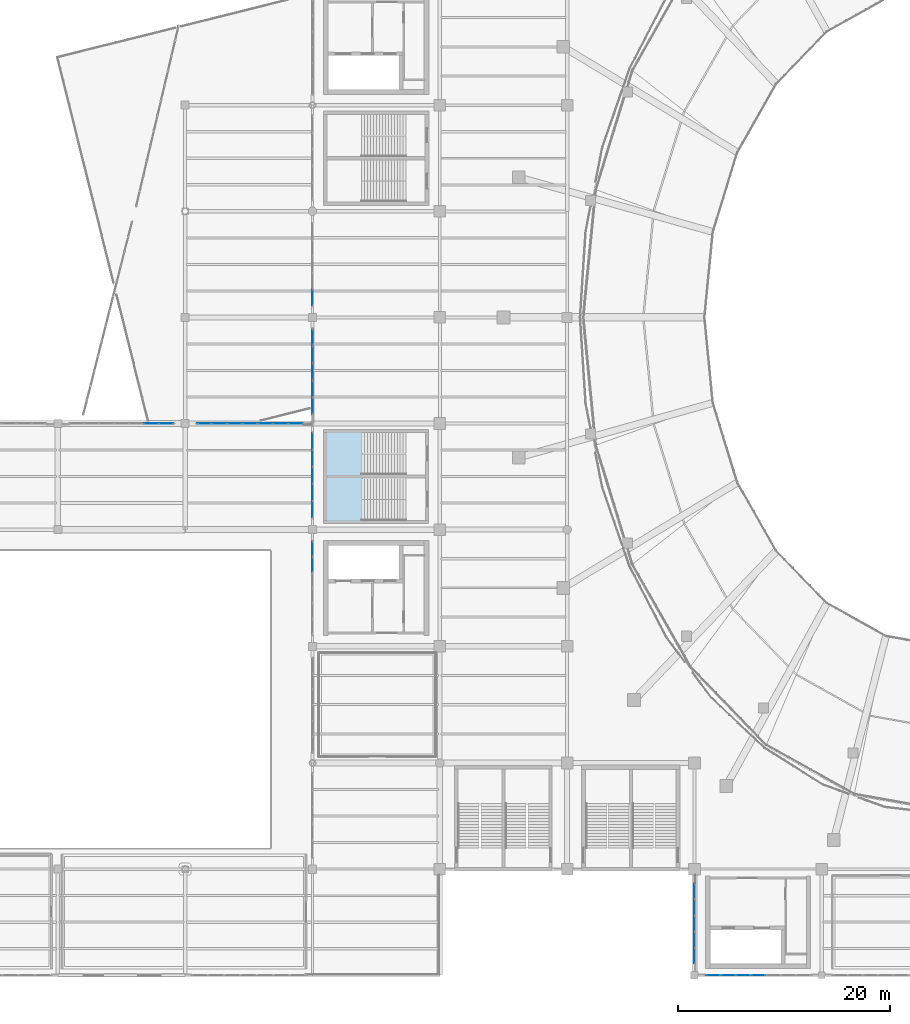
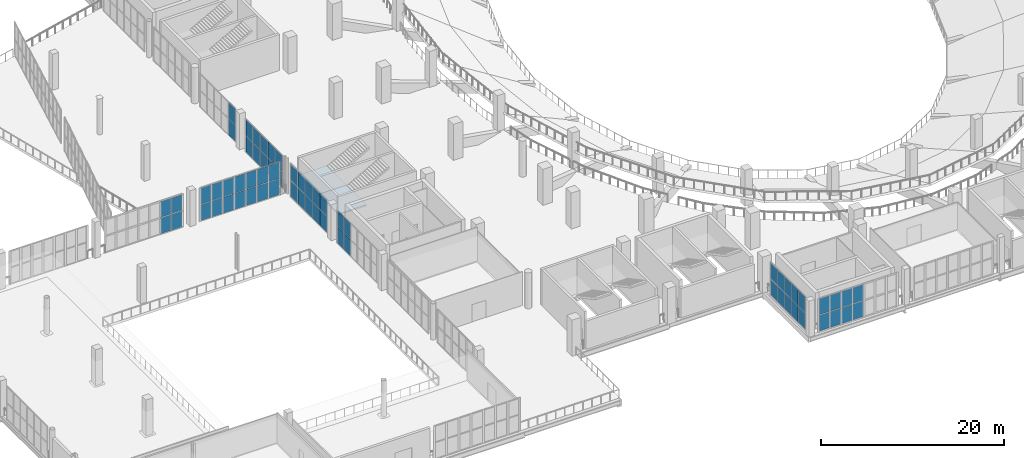
# One storey, part 94 of 136: 62 plates, 2 slabs, 10 elements without a shape of their own.
"""IFC4 building model written with IfcOpenShell, lengths in metres."""

from ifc_helpers import new_model, si_unit, direction, frame, origin, origin_2d, place, context, subcontext, project, spatial, polyline, rectangle, outline, extrude, material, layer, layer_set, type_object, element, aggregate, save


model = new_model("IFC4")

# Units and contexts
model_context = context("Model", 3, precision=1e-05, world=origin(), true_north=direction((0.0, 1.0)))
body_context = subcontext(model_context, "Body", "Model", "MODEL_VIEW")
ifc_project = project(units=[si_unit("LENGTHUNIT", "METRE"), si_unit("AREAUNIT", "SQUARE_METRE"), si_unit("VOLUMEUNIT", "CUBIC_METRE"), si_unit("PLANEANGLEUNIT", "RADIAN"), si_unit("MASSUNIT", "GRAM", prefix="KILO")], contexts=[model_context])

# Site, building, storey
site_placement = place(None, origin())
site = spatial("IfcSite", under=ifc_project, at=site_placement, CompositionType="ELEMENT")
building_placement = place(site_placement, origin())
building = spatial("IfcBuilding", under=site, at=building_placement, Name="Brinegate Civic Arena", CompositionType="ELEMENT")
storey_placement = place(building_placement, frame((0.0, 0.0, 5.39990234375)))
storey = spatial("IfcBuildingStorey", under=building, at=storey_placement, Name="L01", CompositionType="ELEMENT", Elevation=5.39990234375)

# Curtain wall, plates
ifc_material_1 = material(Name="Marine grade aluminium", Category="aluminium")
ifc_layer_1 = layer(ifc_material_1, 0.199951171875, Name="Marine grade aluminium")
ifc_layer_set_1 = layer_set([ifc_layer_1], Name="Marine grade aluminium")
curtain_wall_type_1 = type_object("IfcCurtainWallType", Name="CW-BOWL-GLAZED-01", PredefinedType="USERDEFINED", material=ifc_layer_set_1)
curtain_wall_1_placement = place(storey_placement, origin())
curtain_wall_1 = element("IfcCurtainWall", 1, at=curtain_wall_1_placement, inside=storey, type_object=curtain_wall_type_1, Name="Curtain Wall CWA-050", ObjectType="GLAZED CURTAIN WALL", PredefinedType="USERDEFINED")
ifc_material_2 = material(Name="Hurricane laminated low-E glass", Category="glass")
ifc_layer_2 = layer(ifc_material_2, 0.028076171875, Name="Hurricane laminated low-E glass")
ifc_layer_set_2 = layer_set([ifc_layer_2], Name="Hurricane laminated low-E glass")
plate_type_1 = type_object("IfcPlateType", Name="CW-PANEL-GLAZED-28", PredefinedType="CURTAIN_PANEL", material=ifc_layer_set_2)
plate_1_placement = place(storey_placement, frame((48.0, 43.904052734375, 0.074951171875), z_axis=(0.0, 0.0, 1.0), x_axis=(0.0, 1.0, 0.0)))
plate_1 = element("IfcPlate", 2, at=plate_1_placement, type_object=plate_type_1, Name="CWA-050 panel 1.1", PredefinedType="CURTAIN_PANEL", context=body_context, shape_type="SweptSolid", body=[
    extrude(rectangle(XDim=1.51806640625, YDim=0.028076171875, at=origin_2d()), origin(), (0.0, 0.0, 1.0), 2.12255859375),
])
plate_2_placement = place(storey_placement, frame((48.0, 43.904052734375, 2.2724609375), z_axis=(0.0, 0.0, 1.0), x_axis=(0.0, 1.0, 0.0)))
plate_2 = element("IfcPlate", 3, at=plate_2_placement, type_object=plate_type_1, Name="CWA-050 panel 1.2", PredefinedType="CURTAIN_PANEL", context=body_context, shape_type="SweptSolid", body=[
    extrude(rectangle(XDim=1.51806640625, YDim=0.028076171875, at=origin_2d()), origin(), (0.0, 0.0, 1.0), 2.12255859375),
])
plate_3_placement = place(storey_placement, frame((48.0, 45.50341796875, 0.074951171875), z_axis=(0.0, 0.0, 1.0), x_axis=(0.0, 1.0, 0.0)))
plate_3 = element("IfcPlate", 4, at=plate_3_placement, type_object=plate_type_1, Name="CWA-050 panel 2.1", PredefinedType="CURTAIN_PANEL", context=body_context, shape_type="SweptSolid", body=[
    extrude(rectangle(XDim=1.550537109375, YDim=0.028076171875, at=origin_2d()), origin(), (0.0, 0.0, 1.0), 2.12255859375),
])
plate_4_placement = place(storey_placement, frame((48.0, 45.50341796875, 2.2724609375), z_axis=(0.0, 0.0, 1.0), x_axis=(0.0, 1.0, 0.0)))
plate_4 = element("IfcPlate", 5, at=plate_4_placement, type_object=plate_type_1, Name="CWA-050 panel 2.2", PredefinedType="CURTAIN_PANEL", context=body_context, shape_type="SweptSolid", body=[
    extrude(rectangle(XDim=1.550537109375, YDim=0.028076171875, at=origin_2d()), origin(), (0.0, 0.0, 1.0), 2.12255859375),
])
plate_5_placement = place(storey_placement, frame((48.0, 47.118896484375, 0.074951171875), z_axis=(0.0, 0.0, 1.0), x_axis=(0.0, 1.0, 0.0)))
plate_5 = element("IfcPlate", 6, at=plate_5_placement, type_object=plate_type_1, Name="CWA-050 panel 3.1", PredefinedType="CURTAIN_PANEL", context=body_context, shape_type="SweptSolid", body=[
    extrude(rectangle(XDim=1.550537109375, YDim=0.028076171875, at=origin_2d()), origin(), (0.0, 0.0, 1.0), 2.12255859375),
])
plate_6_placement = place(storey_placement, frame((48.0, 47.118896484375, 2.2724609375), z_axis=(0.0, 0.0, 1.0), x_axis=(0.0, 1.0, 0.0)))
plate_6 = element("IfcPlate", 7, at=plate_6_placement, type_object=plate_type_1, Name="CWA-050 panel 3.2", PredefinedType="CURTAIN_PANEL", context=body_context, shape_type="SweptSolid", body=[
    extrude(rectangle(XDim=1.550537109375, YDim=0.028076171875, at=origin_2d()), origin(), (0.0, 0.0, 1.0), 2.12255859375),
])
plate_7_placement = place(storey_placement, frame((48.0, 48.734619140625, 0.074951171875), z_axis=(0.0, 0.0, 1.0), x_axis=(0.0, 1.0, 0.0)))
plate_7 = element("IfcPlate", 8, at=plate_7_placement, type_object=plate_type_1, Name="CWA-050 panel 4.1", PredefinedType="CURTAIN_PANEL", context=body_context, shape_type="SweptSolid", body=[
    extrude(rectangle(XDim=1.550537109375, YDim=0.028076171875, at=origin_2d()), origin(), (0.0, 0.0, 1.0), 2.12255859375),
])
plate_8_placement = place(storey_placement, frame((48.0, 48.734619140625, 2.2724609375), z_axis=(0.0, 0.0, 1.0), x_axis=(0.0, 1.0, 0.0)))
plate_8 = element("IfcPlate", 9, at=plate_8_placement, type_object=plate_type_1, Name="CWA-050 panel 4.2", PredefinedType="CURTAIN_PANEL", context=body_context, shape_type="SweptSolid", body=[
    extrude(rectangle(XDim=1.550537109375, YDim=0.028076171875, at=origin_2d()), origin(), (0.0, 0.0, 1.0), 2.12255859375),
])
plate_9_placement = place(storey_placement, frame((48.0, 50.333984375, 0.074951171875), z_axis=(0.0, 0.0, 1.0), x_axis=(0.0, 1.0, 0.0)))
plate_9 = element("IfcPlate", 10, at=plate_9_placement, type_object=plate_type_1, Name="CWA-050 panel 5.1", PredefinedType="CURTAIN_PANEL", context=body_context, shape_type="SweptSolid", body=[
    extrude(rectangle(XDim=1.51806640625, YDim=0.028076171875, at=origin_2d()), origin(), (0.0, 0.0, 1.0), 2.12255859375),
])
plate_10_placement = place(storey_placement, frame((48.0, 50.333984375, 2.2724609375), z_axis=(0.0, 0.0, 1.0), x_axis=(0.0, 1.0, 0.0)))
plate_10 = element("IfcPlate", 11, at=plate_10_placement, type_object=plate_type_1, Name="CWA-050 panel 5.2", PredefinedType="CURTAIN_PANEL", context=body_context, shape_type="SweptSolid", body=[
    extrude(rectangle(XDim=1.51806640625, YDim=0.028076171875, at=origin_2d()), origin(), (0.0, 0.0, 1.0), 2.12255859375),
])
aggregate(curtain_wall_1, [plate_1, plate_2, plate_3, plate_4, plate_5, plate_6, plate_7, plate_8, plate_9, plate_10])

curtain_wall_2_placement = place(storey_placement, origin())
curtain_wall_2 = element("IfcCurtainWall", 12, at=curtain_wall_2_placement, inside=storey, type_object=curtain_wall_type_1, Name="Curtain Wall CWA-054", ObjectType="GLAZED CURTAIN WALL", PredefinedType="USERDEFINED")
plate_11_placement = place(storey_placement, frame((48.0, 63.876708984375, 0.06494140625), z_axis=(0.0, 0.0, 1.0), x_axis=(0.0, 1.0, 0.0)))
plate_11 = element("IfcPlate", 13, at=plate_11_placement, type_object=plate_type_1, Name="CWA-054 panel 1.1", PredefinedType="CURTAIN_PANEL", context=body_context, shape_type="SweptSolid", body=[
    extrude(rectangle(XDim=1.46337890625, YDim=0.028076171875, at=origin_2d()), origin(), (0.0, 0.0, 1.0), 2.137451171875),
])
plate_12_placement = place(storey_placement, frame((48.0, 63.876708984375, 2.267578125), z_axis=(0.0, 0.0, 1.0), x_axis=(0.0, 1.0, 0.0)))
plate_12 = element("IfcPlate", 14, at=plate_12_placement, type_object=plate_type_1, Name="CWA-054 panel 1.2", PredefinedType="CURTAIN_PANEL", context=body_context, shape_type="SweptSolid", body=[
    extrude(rectangle(XDim=1.46337890625, YDim=0.028076171875, at=origin_2d()), origin(), (0.0, 0.0, 1.0), 2.137451171875),
])
aggregate(curtain_wall_2, [plate_11, plate_12])

ifc_layer_3 = layer(ifc_material_1, 0.25, Name="Marine grade aluminium")
ifc_layer_set_3 = layer_set([ifc_layer_3], Name="Marine grade aluminium")
curtain_wall_type_2 = type_object("IfcCurtainWallType", Name="CW-PORTAL-SOUTH-02", PredefinedType="USERDEFINED", material=ifc_layer_set_3)
curtain_wall_3_placement = place(storey_placement, origin())
curtain_wall_3 = element("IfcCurtainWall", 15, at=curtain_wall_3_placement, inside=storey, type_object=curtain_wall_type_2, Name="Curtain Wall CWA-070", ObjectType="PORTAL CURTAIN WALL", PredefinedType="USERDEFINED")
plate_13_placement = place(storey_placement, frame((84.0, 1.823974609375, 0.074951171875), z_axis=(0.0, 0.0, 1.0), x_axis=(0.0, 1.0, 0.0)))
plate_13 = element("IfcPlate", 16, at=plate_13_placement, type_object=plate_type_1, Name="CWA-070 panel 1.1", PredefinedType="CURTAIN_PANEL", context=body_context, shape_type="SweptSolid", body=[
    extrude(rectangle(XDim=1.427978515625, YDim=0.028076171875, at=origin_2d()), origin(), (0.0, 0.0, 1.0), 2.12255859375),
])
plate_14_placement = place(storey_placement, frame((84.0, 1.823974609375, 2.2724609375), z_axis=(0.0, 0.0, 1.0), x_axis=(0.0, 1.0, 0.0)))
plate_14 = element("IfcPlate", 17, at=plate_14_placement, type_object=plate_type_1, Name="CWA-070 panel 1.2", PredefinedType="CURTAIN_PANEL", context=body_context, shape_type="SweptSolid", body=[
    extrude(rectangle(XDim=1.427978515625, YDim=0.028076171875, at=origin_2d()), origin(), (0.0, 0.0, 1.0), 2.12255859375),
])
plate_15_placement = place(storey_placement, frame((84.0, 3.3330078125, 0.074951171875), z_axis=(0.0, 0.0, 1.0), x_axis=(0.0, 1.0, 0.0)))
plate_15 = element("IfcPlate", 18, at=plate_15_placement, type_object=plate_type_1, Name="CWA-070 panel 2.1", PredefinedType="CURTAIN_PANEL", context=body_context, shape_type="SweptSolid", body=[
    extrude(rectangle(XDim=1.46044921875, YDim=0.028076171875, at=origin_2d()), origin(), (0.0, 0.0, 1.0), 2.12255859375),
])
plate_16_placement = place(storey_placement, frame((84.0, 3.3330078125, 2.2724609375), z_axis=(0.0, 0.0, 1.0), x_axis=(0.0, 1.0, 0.0)))
plate_16 = element("IfcPlate", 19, at=plate_16_placement, type_object=plate_type_1, Name="CWA-070 panel 2.2", PredefinedType="CURTAIN_PANEL", context=body_context, shape_type="SweptSolid", body=[
    extrude(rectangle(XDim=1.46044921875, YDim=0.028076171875, at=origin_2d()), origin(), (0.0, 0.0, 1.0), 2.12255859375),
])
plate_17_placement = place(storey_placement, frame((84.0, 4.8583984375, 0.074951171875), z_axis=(0.0, 0.0, 1.0), x_axis=(0.0, 1.0, 0.0)))
plate_17 = element("IfcPlate", 20, at=plate_17_placement, type_object=plate_type_1, Name="CWA-070 panel 3.1", PredefinedType="CURTAIN_PANEL", context=body_context, shape_type="SweptSolid", body=[
    extrude(rectangle(XDim=1.46044921875, YDim=0.028076171875, at=origin_2d()), origin(), (0.0, 0.0, 1.0), 2.12255859375),
])
plate_18_placement = place(storey_placement, frame((84.0, 4.8583984375, 2.2724609375), z_axis=(0.0, 0.0, 1.0), x_axis=(0.0, 1.0, 0.0)))
plate_18 = element("IfcPlate", 21, at=plate_18_placement, type_object=plate_type_1, Name="CWA-070 panel 3.2", PredefinedType="CURTAIN_PANEL", context=body_context, shape_type="SweptSolid", body=[
    extrude(rectangle(XDim=1.46044921875, YDim=0.028076171875, at=origin_2d()), origin(), (0.0, 0.0, 1.0), 2.12255859375),
])
plate_19_placement = place(storey_placement, frame((84.0, 6.3837890625, 0.074951171875), z_axis=(0.0, 0.0, 1.0), x_axis=(0.0, 1.0, 0.0)))
plate_19 = element("IfcPlate", 22, at=plate_19_placement, type_object=plate_type_1, Name="CWA-070 panel 4.1", PredefinedType="CURTAIN_PANEL", context=body_context, shape_type="SweptSolid", body=[
    extrude(rectangle(XDim=1.46044921875, YDim=0.028076171875, at=origin_2d()), origin(), (0.0, 0.0, 1.0), 2.12255859375),
])
plate_20_placement = place(storey_placement, frame((84.0, 6.3837890625, 2.2724609375), z_axis=(0.0, 0.0, 1.0), x_axis=(0.0, 1.0, 0.0)))
plate_20 = element("IfcPlate", 23, at=plate_20_placement, type_object=plate_type_1, Name="CWA-070 panel 4.2", PredefinedType="CURTAIN_PANEL", context=body_context, shape_type="SweptSolid", body=[
    extrude(rectangle(XDim=1.46044921875, YDim=0.028076171875, at=origin_2d()), origin(), (0.0, 0.0, 1.0), 2.12255859375),
])
plate_21_placement = place(storey_placement, frame((84.0, 7.89306640625, 0.074951171875), z_axis=(0.0, 0.0, 1.0), x_axis=(0.0, 1.0, 0.0)))
plate_21 = element("IfcPlate", 24, at=plate_21_placement, type_object=plate_type_1, Name="CWA-070 panel 5.1", PredefinedType="CURTAIN_PANEL", context=body_context, shape_type="SweptSolid", body=[
    extrude(rectangle(XDim=1.427978515625, YDim=0.028076171875, at=origin_2d()), origin(), (0.0, 0.0, 1.0), 2.12255859375),
])
plate_22_placement = place(storey_placement, frame((84.0, 7.89306640625, 2.2724609375), z_axis=(0.0, 0.0, 1.0), x_axis=(0.0, 1.0, 0.0)))
plate_22 = element("IfcPlate", 25, at=plate_22_placement, type_object=plate_type_1, Name="CWA-070 panel 5.2", PredefinedType="CURTAIN_PANEL", context=body_context, shape_type="SweptSolid", body=[
    extrude(rectangle(XDim=1.427978515625, YDim=0.028076171875, at=origin_2d()), origin(), (0.0, 0.0, 1.0), 2.12255859375),
])
aggregate(curtain_wall_3, [plate_13, plate_14, plate_15, plate_16, plate_17, plate_18, plate_19, plate_20, plate_21, plate_22])

ifc_layer_4 = layer(ifc_material_1, 0.18505859375, Name="Marine grade aluminium")
ifc_layer_set_4 = layer_set([ifc_layer_4], Name="Marine grade aluminium")
curtain_wall_type_3 = type_object("IfcCurtainWallType", Name="CW-WING-GLAZED-03", PredefinedType="USERDEFINED", material=ifc_layer_set_4)
curtain_wall_4_placement = place(storey_placement, origin())
curtain_wall_4 = element("IfcCurtainWall", 26, at=curtain_wall_4_placement, inside=storey, type_object=curtain_wall_type_3, Name="Curtain Wall CWA-016", ObjectType="GLAZED CURTAIN WALL", PredefinedType="USERDEFINED")
ifc_layer_5 = layer(ifc_material_2, 0.031982421875, Name="Hurricane laminated low-E glass")
ifc_layer_set_5 = layer_set([ifc_layer_5], Name="Hurricane laminated low-E glass")
plate_type_2 = type_object("IfcPlateType", Name="CW-PANEL-GLAZED-32", PredefinedType="CURTAIN_PANEL", material=ifc_layer_set_5)
plate_23_placement = place(storey_placement, frame((32.8115234375, 52.0, 0.074951171875), z_axis=(0.0, 0.0, 1.0), x_axis=(1.0, 0.0, 0.0)))
plate_23 = element("IfcPlate", 27, at=plate_23_placement, type_object=plate_type_2, Name="CWA-016 panel 6.1", PredefinedType="CURTAIN_PANEL", context=body_context, shape_type="SweptSolid", body=[
    extrude(rectangle(XDim=1.3408203125, YDim=0.031982421875, at=origin_2d()), origin(), (0.0, 0.0, 1.0), 2.12255859375),
])
plate_24_placement = place(storey_placement, frame((32.8115234375, 52.0, 2.2724609375), z_axis=(0.0, 0.0, 1.0), x_axis=(1.0, 0.0, 0.0)))
plate_24 = element("IfcPlate", 28, at=plate_24_placement, type_object=plate_type_2, Name="CWA-016 panel 6.2", PredefinedType="CURTAIN_PANEL", context=body_context, shape_type="SweptSolid", body=[
    extrude(rectangle(XDim=1.3408203125, YDim=0.031982421875, at=origin_2d()), origin(), (0.0, 0.0, 1.0), 2.12255859375),
])
plate_25_placement = place(storey_placement, frame((34.200927734375, 52.0, 0.074951171875), z_axis=(0.0, 0.0, 1.0), x_axis=(1.0, 0.0, 0.0)))
plate_25 = element("IfcPlate", 29, at=plate_25_placement, type_object=plate_type_2, Name="CWA-016 panel 7.1", PredefinedType="CURTAIN_PANEL", context=body_context, shape_type="SweptSolid", body=[
    extrude(rectangle(XDim=1.30810546875, YDim=0.031982421875, at=origin_2d()), origin(), (0.0, 0.0, 1.0), 2.12255859375),
])
plate_26_placement = place(storey_placement, frame((34.200927734375, 52.0, 2.2724609375), z_axis=(0.0, 0.0, 1.0), x_axis=(1.0, 0.0, 0.0)))
plate_26 = element("IfcPlate", 30, at=plate_26_placement, type_object=plate_type_2, Name="CWA-016 panel 7.2", PredefinedType="CURTAIN_PANEL", context=body_context, shape_type="SweptSolid", body=[
    extrude(rectangle(XDim=1.30810546875, YDim=0.031982421875, at=origin_2d()), origin(), (0.0, 0.0, 1.0), 2.12255859375),
])
aggregate(curtain_wall_4, [plate_23, plate_24, plate_25, plate_26])

curtain_wall_5_placement = place(storey_placement, origin())
curtain_wall_5 = element("IfcCurtainWall", 31, at=curtain_wall_5_placement, inside=storey, type_object=curtain_wall_type_1, Name="Curtain Wall CWA-048", ObjectType="GLAZED CURTAIN WALL", PredefinedType="USERDEFINED")
ifc_layer_6 = layer(ifc_material_2, 0.035888671875, Name="Hurricane laminated low-E glass")
ifc_layer_set_6 = layer_set([ifc_layer_6], Name="Hurricane laminated low-E glass")
plate_type_3 = type_object("IfcPlateType", Name="CW-PANEL-GLAZED-36", PredefinedType="CURTAIN_PANEL", material=ifc_layer_set_6)
plate_27_placement = place(storey_placement, frame((48.0, 38.7099609375, 0.06494140625), z_axis=(0.0, 0.0, 1.0), x_axis=(0.0, 1.0, 0.0)))
plate_27 = element("IfcPlate", 32, at=plate_27_placement, type_object=plate_type_3, Name="CWA-048 panel 5.1", PredefinedType="CURTAIN_PANEL", context=body_context, shape_type="SweptSolid", body=[
    extrude(rectangle(XDim=1.3984375, YDim=0.035888671875, at=origin_2d()), origin(), (0.0, 0.0, 1.0), 2.137451171875),
])
plate_28_placement = place(storey_placement, frame((48.0, 38.7099609375, 2.267578125), z_axis=(0.0, 0.0, 1.0), x_axis=(0.0, 1.0, 0.0)))
plate_28 = element("IfcPlate", 33, at=plate_28_placement, type_object=plate_type_3, Name="CWA-048 panel 5.2", PredefinedType="CURTAIN_PANEL", context=body_context, shape_type="SweptSolid", body=[
    extrude(rectangle(XDim=1.3984375, YDim=0.035888671875, at=origin_2d()), origin(), (0.0, 0.0, 1.0), 2.137451171875),
])
plate_29_placement = place(storey_placement, frame((48.0, 40.16455078125, 0.06494140625), z_axis=(0.0, 0.0, 1.0), x_axis=(0.0, 1.0, 0.0)))
plate_29 = element("IfcPlate", 34, at=plate_29_placement, type_object=plate_type_3, Name="CWA-048 panel 6.1", PredefinedType="CURTAIN_PANEL", context=body_context, shape_type="SweptSolid", body=[
    extrude(rectangle(XDim=1.36083984375, YDim=0.035888671875, at=origin_2d()), origin(), (0.0, 0.0, 1.0), 2.137451171875),
])
plate_30_placement = place(storey_placement, frame((48.0, 40.16455078125, 2.267578125), z_axis=(0.0, 0.0, 1.0), x_axis=(0.0, 1.0, 0.0)))
plate_30 = element("IfcPlate", 35, at=plate_30_placement, type_object=plate_type_3, Name="CWA-048 panel 6.2", PredefinedType="CURTAIN_PANEL", context=body_context, shape_type="SweptSolid", body=[
    extrude(rectangle(XDim=1.36083984375, YDim=0.035888671875, at=origin_2d()), origin(), (0.0, 0.0, 1.0), 2.137451171875),
])
aggregate(curtain_wall_5, [plate_27, plate_28, plate_29, plate_30])

curtain_wall_6_placement = place(storey_placement, origin())
curtain_wall_6 = element("IfcCurtainWall", 36, at=curtain_wall_6_placement, inside=storey, type_object=curtain_wall_type_1, Name="Curtain Wall CWA-052", ObjectType="GLAZED CURTAIN WALL", PredefinedType="USERDEFINED")
plate_31_placement = place(storey_placement, frame((48.0, 53.66845703125, 0.06494140625), z_axis=(0.0, 0.0, 1.0), x_axis=(0.0, 1.0, 0.0)))
plate_31 = element("IfcPlate", 37, at=plate_31_placement, type_object=plate_type_3, Name="CWA-052 panel 1.1", PredefinedType="CURTAIN_PANEL", context=body_context, shape_type="SweptSolid", body=[
    extrude(rectangle(XDim=1.503173828125, YDim=0.035888671875, at=origin_2d()), origin(), (0.0, 0.0, 1.0), 2.137451171875),
])
plate_32_placement = place(storey_placement, frame((48.0, 53.66845703125, 2.267578125), z_axis=(0.0, 0.0, 1.0), x_axis=(0.0, 1.0, 0.0)))
plate_32 = element("IfcPlate", 38, at=plate_32_placement, type_object=plate_type_3, Name="CWA-052 panel 1.2", PredefinedType="CURTAIN_PANEL", context=body_context, shape_type="SweptSolid", body=[
    extrude(rectangle(XDim=1.503173828125, YDim=0.035888671875, at=origin_2d()), origin(), (0.0, 0.0, 1.0), 2.137451171875),
])
plate_33_placement = place(storey_placement, frame((48.0, 55.265380859375, 0.06494140625), z_axis=(0.0, 0.0, 1.0), x_axis=(0.0, 1.0, 0.0)))
plate_33 = element("IfcPlate", 39, at=plate_33_placement, type_object=plate_type_3, Name="CWA-052 panel 2.1", PredefinedType="CURTAIN_PANEL", context=body_context, shape_type="SweptSolid", body=[
    extrude(rectangle(XDim=1.54052734375, YDim=0.035888671875, at=origin_2d()), origin(), (0.0, 0.0, 1.0), 2.137451171875),
])
plate_34_placement = place(storey_placement, frame((48.0, 55.265380859375, 2.267578125), z_axis=(0.0, 0.0, 1.0), x_axis=(0.0, 1.0, 0.0)))
plate_34 = element("IfcPlate", 40, at=plate_34_placement, type_object=plate_type_3, Name="CWA-052 panel 2.2", PredefinedType="CURTAIN_PANEL", context=body_context, shape_type="SweptSolid", body=[
    extrude(rectangle(XDim=1.54052734375, YDim=0.035888671875, at=origin_2d()), origin(), (0.0, 0.0, 1.0), 2.137451171875),
])
plate_35_placement = place(storey_placement, frame((48.0, 56.881103515625, 0.06494140625), z_axis=(0.0, 0.0, 1.0), x_axis=(0.0, 1.0, 0.0)))
plate_35 = element("IfcPlate", 41, at=plate_35_placement, type_object=plate_type_3, Name="CWA-052 panel 3.1", PredefinedType="CURTAIN_PANEL", context=body_context, shape_type="SweptSolid", body=[
    extrude(rectangle(XDim=1.54052734375, YDim=0.035888671875, at=origin_2d()), origin(), (0.0, 0.0, 1.0), 2.137451171875),
])
plate_36_placement = place(storey_placement, frame((48.0, 56.881103515625, 2.267578125), z_axis=(0.0, 0.0, 1.0), x_axis=(0.0, 1.0, 0.0)))
plate_36 = element("IfcPlate", 42, at=plate_36_placement, type_object=plate_type_3, Name="CWA-052 panel 3.2", PredefinedType="CURTAIN_PANEL", context=body_context, shape_type="SweptSolid", body=[
    extrude(rectangle(XDim=1.54052734375, YDim=0.035888671875, at=origin_2d()), origin(), (0.0, 0.0, 1.0), 2.137451171875),
])
plate_37_placement = place(storey_placement, frame((48.0, 58.49658203125, 0.06494140625), z_axis=(0.0, 0.0, 1.0), x_axis=(0.0, 1.0, 0.0)))
plate_37 = element("IfcPlate", 43, at=plate_37_placement, type_object=plate_type_3, Name="CWA-052 panel 4.1", PredefinedType="CURTAIN_PANEL", context=body_context, shape_type="SweptSolid", body=[
    extrude(rectangle(XDim=1.54052734375, YDim=0.035888671875, at=origin_2d()), origin(), (0.0, 0.0, 1.0), 2.137451171875),
])
plate_38_placement = place(storey_placement, frame((48.0, 58.49658203125, 2.267578125), z_axis=(0.0, 0.0, 1.0), x_axis=(0.0, 1.0, 0.0)))
plate_38 = element("IfcPlate", 44, at=plate_38_placement, type_object=plate_type_3, Name="CWA-052 panel 4.2", PredefinedType="CURTAIN_PANEL", context=body_context, shape_type="SweptSolid", body=[
    extrude(rectangle(XDim=1.54052734375, YDim=0.035888671875, at=origin_2d()), origin(), (0.0, 0.0, 1.0), 2.137451171875),
])
plate_39_placement = place(storey_placement, frame((48.0, 60.093505859375, 0.06494140625), z_axis=(0.0, 0.0, 1.0), x_axis=(0.0, 1.0, 0.0)))
plate_39 = element("IfcPlate", 45, at=plate_39_placement, type_object=plate_type_3, Name="CWA-052 panel 5.1", PredefinedType="CURTAIN_PANEL", context=body_context, shape_type="SweptSolid", body=[
    extrude(rectangle(XDim=1.503173828125, YDim=0.035888671875, at=origin_2d()), origin(), (0.0, 0.0, 1.0), 2.137451171875),
])
plate_40_placement = place(storey_placement, frame((48.0, 60.093505859375, 2.267578125), z_axis=(0.0, 0.0, 1.0), x_axis=(0.0, 1.0, 0.0)))
plate_40 = element("IfcPlate", 46, at=plate_40_placement, type_object=plate_type_3, Name="CWA-052 panel 5.2", PredefinedType="CURTAIN_PANEL", context=body_context, shape_type="SweptSolid", body=[
    extrude(rectangle(XDim=1.503173828125, YDim=0.035888671875, at=origin_2d()), origin(), (0.0, 0.0, 1.0), 2.137451171875),
])
aggregate(curtain_wall_6, [plate_31, plate_32, plate_33, plate_34, plate_35, plate_36, plate_37, plate_38, plate_39, plate_40])

curtain_wall_7_placement = place(storey_placement, origin())
curtain_wall_7 = element("IfcCurtainWall", 47, at=curtain_wall_7_placement, inside=storey, type_object=curtain_wall_type_3, Name="Curtain Wall CWA-018", ObjectType="GLAZED CURTAIN WALL", PredefinedType="USERDEFINED")
ifc_layer_7 = layer(ifc_material_2, 0.0419921875, Name="Hurricane laminated low-E glass")
ifc_layer_set_7 = layer_set([ifc_layer_7], Name="Hurricane laminated low-E glass")
plate_type_4 = type_object("IfcPlateType", Name="CW-PANEL-SPANDREL-42", PredefinedType="CURTAIN_PANEL", material=ifc_layer_set_7)
plate_41_placement = place(storey_placement, frame((37.81982421875, 52.0, 0.06494140625), z_axis=(0.0, 0.0, 1.0), x_axis=(1.0, 0.0, 0.0)))
plate_41 = element("IfcPlate", 48, at=plate_41_placement, type_object=plate_type_4, Name="CWA-018 panel 1.1", PredefinedType="CURTAIN_PANEL", context=body_context, shape_type="SweptSolid", body=[
    extrude(rectangle(XDim=1.31982421875, YDim=0.0419921875, at=origin_2d()), origin(), (0.0, 0.0, 1.0), 2.137451171875),
])
plate_42_placement = place(storey_placement, frame((37.81982421875, 52.0, 2.267578125), z_axis=(0.0, 0.0, 1.0), x_axis=(1.0, 0.0, 0.0)))
plate_42 = element("IfcPlate", 49, at=plate_42_placement, type_object=plate_type_4, Name="CWA-018 panel 1.2", PredefinedType="CURTAIN_PANEL", context=body_context, shape_type="SweptSolid", body=[
    extrude(rectangle(XDim=1.31982421875, YDim=0.0419921875, at=origin_2d()), origin(), (0.0, 0.0, 1.0), 2.137451171875),
])
plate_43_placement = place(storey_placement, frame((39.239501953125, 52.0, 0.06494140625), z_axis=(0.0, 0.0, 1.0), x_axis=(1.0, 0.0, 0.0)))
plate_43 = element("IfcPlate", 50, at=plate_43_placement, type_object=plate_type_4, Name="CWA-018 panel 2.1", PredefinedType="CURTAIN_PANEL", context=body_context, shape_type="SweptSolid", body=[
    extrude(rectangle(XDim=1.359619140625, YDim=0.0419921875, at=origin_2d()), origin(), (0.0, 0.0, 1.0), 2.137451171875),
])
plate_44_placement = place(storey_placement, frame((39.239501953125, 52.0, 2.267578125), z_axis=(0.0, 0.0, 1.0), x_axis=(1.0, 0.0, 0.0)))
plate_44 = element("IfcPlate", 51, at=plate_44_placement, type_object=plate_type_4, Name="CWA-018 panel 2.2", PredefinedType="CURTAIN_PANEL", context=body_context, shape_type="SweptSolid", body=[
    extrude(rectangle(XDim=1.359619140625, YDim=0.0419921875, at=origin_2d()), origin(), (0.0, 0.0, 1.0), 2.137451171875),
])
plate_45_placement = place(storey_placement, frame((40.67919921875, 52.0, 0.06494140625), z_axis=(0.0, 0.0, 1.0), x_axis=(1.0, 0.0, 0.0)))
plate_45 = element("IfcPlate", 52, at=plate_45_placement, type_object=plate_type_4, Name="CWA-018 panel 3.1", PredefinedType="CURTAIN_PANEL", context=body_context, shape_type="SweptSolid", body=[
    extrude(rectangle(XDim=1.359619140625, YDim=0.0419921875, at=origin_2d()), origin(), (0.0, 0.0, 1.0), 2.137451171875),
])
plate_46_placement = place(storey_placement, frame((40.67919921875, 52.0, 2.267578125), z_axis=(0.0, 0.0, 1.0), x_axis=(1.0, 0.0, 0.0)))
plate_46 = element("IfcPlate", 53, at=plate_46_placement, type_object=plate_type_4, Name="CWA-018 panel 3.2", PredefinedType="CURTAIN_PANEL", context=body_context, shape_type="SweptSolid", body=[
    extrude(rectangle(XDim=1.359619140625, YDim=0.0419921875, at=origin_2d()), origin(), (0.0, 0.0, 1.0), 2.137451171875),
])
plate_47_placement = place(storey_placement, frame((42.118896484375, 52.0, 0.06494140625), z_axis=(0.0, 0.0, 1.0), x_axis=(1.0, 0.0, 0.0)))
plate_47 = element("IfcPlate", 54, at=plate_47_placement, type_object=plate_type_4, Name="CWA-018 panel 4.1", PredefinedType="CURTAIN_PANEL", context=body_context, shape_type="SweptSolid", body=[
    extrude(rectangle(XDim=1.359619140625, YDim=0.0419921875, at=origin_2d()), origin(), (0.0, 0.0, 1.0), 2.137451171875),
])
plate_48_placement = place(storey_placement, frame((42.118896484375, 52.0, 2.267578125), z_axis=(0.0, 0.0, 1.0), x_axis=(1.0, 0.0, 0.0)))
plate_48 = element("IfcPlate", 55, at=plate_48_placement, type_object=plate_type_4, Name="CWA-018 panel 4.2", PredefinedType="CURTAIN_PANEL", context=body_context, shape_type="SweptSolid", body=[
    extrude(rectangle(XDim=1.359619140625, YDim=0.0419921875, at=origin_2d()), origin(), (0.0, 0.0, 1.0), 2.137451171875),
])
plate_49_placement = place(storey_placement, frame((43.55859375, 52.0, 0.06494140625), z_axis=(0.0, 0.0, 1.0), x_axis=(1.0, 0.0, 0.0)))
plate_49 = element("IfcPlate", 56, at=plate_49_placement, type_object=plate_type_4, Name="CWA-018 panel 5.1", PredefinedType="CURTAIN_PANEL", context=body_context, shape_type="SweptSolid", body=[
    extrude(rectangle(XDim=1.359619140625, YDim=0.0419921875, at=origin_2d()), origin(), (0.0, 0.0, 1.0), 2.137451171875),
])
plate_50_placement = place(storey_placement, frame((43.55859375, 52.0, 2.267578125), z_axis=(0.0, 0.0, 1.0), x_axis=(1.0, 0.0, 0.0)))
plate_50 = element("IfcPlate", 57, at=plate_50_placement, type_object=plate_type_4, Name="CWA-018 panel 5.2", PredefinedType="CURTAIN_PANEL", context=body_context, shape_type="SweptSolid", body=[
    extrude(rectangle(XDim=1.359619140625, YDim=0.0419921875, at=origin_2d()), origin(), (0.0, 0.0, 1.0), 2.137451171875),
])
plate_51_placement = place(storey_placement, frame((44.99853515625, 52.0, 0.06494140625), z_axis=(0.0, 0.0, 1.0), x_axis=(1.0, 0.0, 0.0)))
plate_51 = element("IfcPlate", 58, at=plate_51_placement, type_object=plate_type_4, Name="CWA-018 panel 6.1", PredefinedType="CURTAIN_PANEL", context=body_context, shape_type="SweptSolid", body=[
    extrude(rectangle(XDim=1.359619140625, YDim=0.0419921875, at=origin_2d()), origin(), (0.0, 0.0, 1.0), 2.137451171875),
])
plate_52_placement = place(storey_placement, frame((44.99853515625, 52.0, 2.267578125), z_axis=(0.0, 0.0, 1.0), x_axis=(1.0, 0.0, 0.0)))
plate_52 = element("IfcPlate", 59, at=plate_52_placement, type_object=plate_type_4, Name="CWA-018 panel 6.2", PredefinedType="CURTAIN_PANEL", context=body_context, shape_type="SweptSolid", body=[
    extrude(rectangle(XDim=1.359619140625, YDim=0.0419921875, at=origin_2d()), origin(), (0.0, 0.0, 1.0), 2.137451171875),
])
plate_53_placement = place(storey_placement, frame((46.418212890625, 52.0, 0.06494140625), z_axis=(0.0, 0.0, 1.0), x_axis=(1.0, 0.0, 0.0)))
plate_53 = element("IfcPlate", 60, at=plate_53_placement, type_object=plate_type_4, Name="CWA-018 panel 7.1", PredefinedType="CURTAIN_PANEL", context=body_context, shape_type="SweptSolid", body=[
    extrude(rectangle(XDim=1.31982421875, YDim=0.0419921875, at=origin_2d()), origin(), (0.0, 0.0, 1.0), 2.137451171875),
])
plate_54_placement = place(storey_placement, frame((46.418212890625, 52.0, 2.267578125), z_axis=(0.0, 0.0, 1.0), x_axis=(1.0, 0.0, 0.0)))
plate_54 = element("IfcPlate", 61, at=plate_54_placement, type_object=plate_type_4, Name="CWA-018 panel 7.2", PredefinedType="CURTAIN_PANEL", context=body_context, shape_type="SweptSolid", body=[
    extrude(rectangle(XDim=1.31982421875, YDim=0.0419921875, at=origin_2d()), origin(), (0.0, 0.0, 1.0), 2.137451171875),
])
aggregate(curtain_wall_7, [plate_41, plate_42, plate_43, plate_44, plate_45, plate_46, plate_47, plate_48, plate_49, plate_50, plate_51, plate_52, plate_53, plate_54])

curtain_wall_8_placement = place(storey_placement, origin())
curtain_wall_8 = element("IfcCurtainWall", 62, at=curtain_wall_8_placement, inside=storey, type_object=curtain_wall_type_2, Name="Curtain Wall CWA-065", ObjectType="PORTAL CURTAIN WALL", PredefinedType="USERDEFINED")
plate_55_placement = place(storey_placement, frame((85.775390625, 0.0, 0.074951171875), z_axis=(0.0, 0.0, 1.0), x_axis=(1.0, 0.0, 0.0)))
plate_55 = element("IfcPlate", 63, at=plate_55_placement, type_object=plate_type_4, Name="CWA-065 panel 1.1", PredefinedType="CURTAIN_PANEL", context=body_context, shape_type="SweptSolid", body=[
    extrude(rectangle(XDim=1.30078125, YDim=0.0419921875, at=origin_2d()), origin(), (0.0, 0.0, 1.0), 2.12255859375),
])
plate_56_placement = place(storey_placement, frame((85.775390625, 0.0, 2.2724609375), z_axis=(0.0, 0.0, 1.0), x_axis=(1.0, 0.0, 0.0)))
plate_56 = element("IfcPlate", 64, at=plate_56_placement, type_object=plate_type_4, Name="CWA-065 panel 1.2", PredefinedType="CURTAIN_PANEL", context=body_context, shape_type="SweptSolid", body=[
    extrude(rectangle(XDim=1.30078125, YDim=0.0419921875, at=origin_2d()), origin(), (0.0, 0.0, 1.0), 2.12255859375),
])
plate_57_placement = place(storey_placement, frame((87.176025390625, 0.0, 0.074951171875), z_axis=(0.0, 0.0, 1.0), x_axis=(1.0, 0.0, 0.0)))
plate_57 = element("IfcPlate", 65, at=plate_57_placement, type_object=plate_type_4, Name="CWA-065 panel 2.1", PredefinedType="CURTAIN_PANEL", context=body_context, shape_type="SweptSolid", body=[
    extrude(rectangle(XDim=1.3408203125, YDim=0.0419921875, at=origin_2d()), origin(), (0.0, 0.0, 1.0), 2.12255859375),
])
plate_58_placement = place(storey_placement, frame((87.176025390625, 0.0, 2.2724609375), z_axis=(0.0, 0.0, 1.0), x_axis=(1.0, 0.0, 0.0)))
plate_58 = element("IfcPlate", 66, at=plate_58_placement, type_object=plate_type_4, Name="CWA-065 panel 2.2", PredefinedType="CURTAIN_PANEL", context=body_context, shape_type="SweptSolid", body=[
    extrude(rectangle(XDim=1.3408203125, YDim=0.0419921875, at=origin_2d()), origin(), (0.0, 0.0, 1.0), 2.12255859375),
])
plate_59_placement = place(storey_placement, frame((88.5966796875, 0.0, 0.074951171875), z_axis=(0.0, 0.0, 1.0), x_axis=(1.0, 0.0, 0.0)))
plate_59 = element("IfcPlate", 67, at=plate_59_placement, type_object=plate_type_4, Name="CWA-065 panel 3.1", PredefinedType="CURTAIN_PANEL", context=body_context, shape_type="SweptSolid", body=[
    extrude(rectangle(XDim=1.3408203125, YDim=0.0419921875, at=origin_2d()), origin(), (0.0, 0.0, 1.0), 2.12255859375),
])
plate_60_placement = place(storey_placement, frame((88.5966796875, 0.0, 2.2724609375), z_axis=(0.0, 0.0, 1.0), x_axis=(1.0, 0.0, 0.0)))
plate_60 = element("IfcPlate", 68, at=plate_60_placement, type_object=plate_type_4, Name="CWA-065 panel 3.2", PredefinedType="CURTAIN_PANEL", context=body_context, shape_type="SweptSolid", body=[
    extrude(rectangle(XDim=1.3408203125, YDim=0.0419921875, at=origin_2d()), origin(), (0.0, 0.0, 1.0), 2.12255859375),
])
plate_61_placement = place(storey_placement, frame((90.017578125, 0.0, 0.074951171875), z_axis=(0.0, 0.0, 1.0), x_axis=(1.0, 0.0, 0.0)))
plate_61 = element("IfcPlate", 69, at=plate_61_placement, type_object=plate_type_4, Name="CWA-065 panel 4.1", PredefinedType="CURTAIN_PANEL", context=body_context, shape_type="SweptSolid", body=[
    extrude(rectangle(XDim=1.3408203125, YDim=0.0419921875, at=origin_2d()), origin(), (0.0, 0.0, 1.0), 2.12255859375),
])
plate_62_placement = place(storey_placement, frame((90.017578125, 0.0, 2.2724609375), z_axis=(0.0, 0.0, 1.0), x_axis=(1.0, 0.0, 0.0)))
plate_62 = element("IfcPlate", 70, at=plate_62_placement, type_object=plate_type_4, Name="CWA-065 panel 4.2", PredefinedType="CURTAIN_PANEL", context=body_context, shape_type="SweptSolid", body=[
    extrude(rectangle(XDim=1.3408203125, YDim=0.0419921875, at=origin_2d()), origin(), (0.0, 0.0, 1.0), 2.12255859375),
])
aggregate(curtain_wall_8, [plate_55, plate_56, plate_57, plate_58, plate_59, plate_60, plate_61, plate_62])

# Stair, slab
ifc_material_3 = material(Name="Concrete C40/50", Category="concrete")
stair_type_1 = type_object("IfcStairType", Name="STAIR-EXIT-3850", PredefinedType="HALF_TURN_STAIR", material=ifc_material_3)
stair_1_placement = place(storey_placement, origin())
stair_1 = element("IfcStair", 71, at=stair_1_placement, inside=storey, type_object=stair_type_1, Name="Protected Exit Stair ST-08A (L01)", PredefinedType="HALF_TURN_STAIR")
ifc_layer_8 = layer(ifc_material_3, 0.199951171875, Name="Concrete C40/50")
ifc_layer_set_8 = layer_set([ifc_layer_8], Name="Concrete C40/50")
slab_type = type_object("IfcSlabType", Name="SLAB-LANDING-200", PredefinedType="LANDING", material=ifc_layer_set_8)
slab_1_placement = place(storey_placement, frame((0.0, 0.0, 2.2001953125)))
slab_1 = element("IfcSlab", 72, at=slab_1_placement, type_object=slab_type, Name="ST-08A landing 1", PredefinedType="LANDING", context=body_context, shape_type="SweptSolid", body=[
    extrude(outline(polyline([(49.199951171875, 42.695068359375), (52.7099609375, 42.695068359375), (52.7099609375, 47.0048828125), (49.199951171875, 47.0048828125), (49.199951171875, 42.695068359375)])), origin(), (0.0, 0.0, 1.0), 0.199951171875),
])
aggregate(stair_1, [slab_1])

stair_type_2 = type_object("IfcStairType", Name="STAIR-EXIT-3700", PredefinedType="HALF_TURN_STAIR", material=ifc_material_3)
stair_2_placement = place(storey_placement, origin())
stair_2 = element("IfcStair", 73, at=stair_2_placement, inside=storey, type_object=stair_type_2, Name="Protected Exit Stair ST-08B (L01)", PredefinedType="HALF_TURN_STAIR")
slab_2_placement = place(storey_placement, frame((0.0, 0.0, 2.2001953125)))
slab_2 = element("IfcSlab", 74, at=slab_2_placement, type_object=slab_type, Name="ST-08B landing 1", PredefinedType="LANDING", context=body_context, shape_type="SweptSolid", body=[
    extrude(outline(polyline([(49.199951171875, 46.9951171875), (52.7099609375, 46.9951171875), (52.7099609375, 51.304931640625), (49.199951171875, 51.304931640625), (49.199951171875, 46.9951171875)])), origin(), (0.0, 0.0, 1.0), 0.199951171875),
])
aggregate(stair_2, [slab_2])

save(model, "model.ifc")
